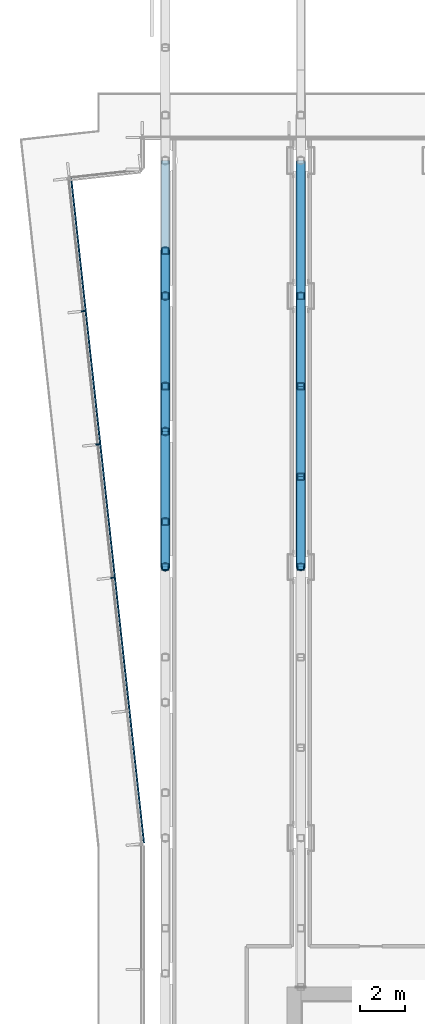
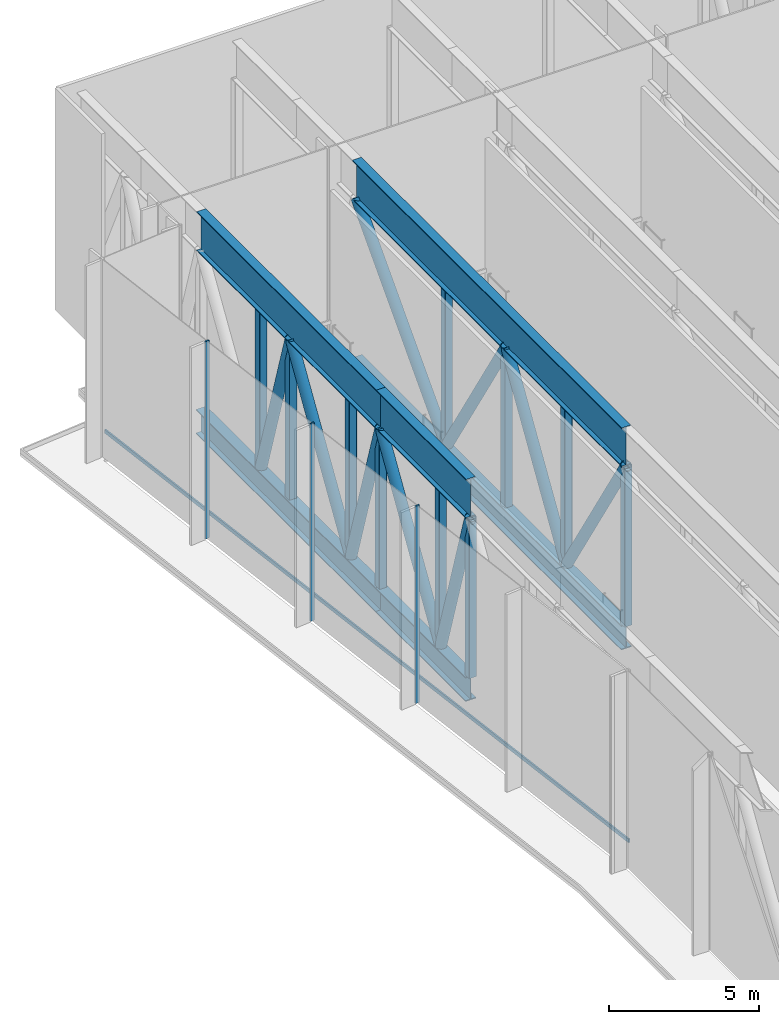
# One storey, part 6 of 22: 29 members, 1 element without a shape of its own.
"""IFC4 building model written with IfcOpenShell, lengths in metres."""

from ifc_helpers import new_model, si_unit, direction, frame, origin, origin_2d, place, context, subcontext, project, spatial, rectangle, hollow_rectangle, hollow_circle, i_section, extrude, material, layer, layer_set, material_profile, profile_set, type_object, element, aggregate, save


model = new_model("IFC4")

# Units and contexts
model_context = context("Model", 3, precision=1e-05, world=origin(), true_north=direction((0.0, 1.0)))
body_context = subcontext(model_context, "Body", "Model", "MODEL_VIEW")
ifc_project = project(units=[si_unit("LENGTHUNIT", "METRE"), si_unit("AREAUNIT", "SQUARE_METRE"), si_unit("VOLUMEUNIT", "CUBIC_METRE"), si_unit("PLANEANGLEUNIT", "RADIAN"), si_unit("MASSUNIT", "GRAM", prefix="KILO")], contexts=[model_context])

# Site, building, storey
site_placement = place(None, origin())
site = spatial("IfcSite", under=ifc_project, at=site_placement, CompositionType="ELEMENT")
building_placement = place(site_placement, origin())
building = spatial("IfcBuilding", under=site, at=building_placement, Name="Welwitschia Terrace Campus", CompositionType="ELEMENT")
storey_placement = place(building_placement, frame((0.0, 0.0, 197.0)))
storey = spatial("IfcBuildingStorey", under=building, at=storey_placement, Name="L44", CompositionType="ELEMENT", Elevation=197.0)

# Curtain wall, members
ifc_material_1 = material(Name="Bronze anodised aluminium", Category="aluminium")
ifc_layer = layer(ifc_material_1, 0.159912109375)
ifc_layer_set = layer_set([ifc_layer], Name="Bronze anodised aluminium")
curtain_wall_type = type_object("IfcCurtainWallType", Name="Curtain wall CW3 commons 6000", PredefinedType="NOTDEFINED", material=ifc_layer_set)
curtain_wall_placement = place(storey_placement, origin())
curtain_wall = element("IfcCurtainWall", 1, at=curtain_wall_placement, inside=storey, type_object=curtain_wall_type, Name="CW L44.8.0", PredefinedType="NOTDEFINED")
ifc_material_2 = material(Name="Bronze anodised aluminium", Category="aluminium")
ifc_material_profile_1 = material_profile(ifc_material_2, rectangle(XDim=0.159912109375, YDim=0.06005859375, at=origin_2d()))
ifc_profile_set_1 = profile_set([ifc_material_profile_1], Name="Bronze anodised aluminium")
member_type_1 = type_object("IfcMemberType", Name="Mullion 60x160", PredefinedType="MULLION", material=ifc_profile_set_1)
member_1_placement = place(storey_placement, frame((-3.63623046875, 55.3291015625, 0.0), z_axis=(0.0, 0.0, 1.0), x_axis=(0.994056338222, 0.108866874852, 0.0)))
member_1 = element("IfcMember", 2, at=member_1_placement, type_object=member_type_1, Name="Mullion L44.8.0.1", PredefinedType="MULLION", context=body_context, shape_type="SweptSolid", body=[
    extrude(rectangle(XDim=0.159912109375, YDim=0.06005859375, at=origin_2d()), origin(), (0.0, 0.0, 1.0), 8.050048828125),
])
member_2_placement = place(storey_placement, frame((-2.98974609375, 49.425537109375, 0.0), z_axis=(0.0, 0.0, 1.0), x_axis=(0.994056338222, 0.108866874852, 0.0)))
member_2 = element("IfcMember", 3, at=member_2_placement, type_object=member_type_1, Name="Mullion L44.8.0.2", PredefinedType="MULLION", context=body_context, shape_type="SweptSolid", body=[
    extrude(rectangle(XDim=0.159912109375, YDim=0.06005859375, at=origin_2d()), origin(), (0.0, 0.0, 1.0), 8.050048828125),
])
member_3_placement = place(storey_placement, frame((-2.343017578125, 43.521728515625, 0.0), z_axis=(0.0, 0.0, 1.0), x_axis=(0.994056338222, 0.108866874852, 0.0)))
member_3 = element("IfcMember", 4, at=member_3_placement, type_object=member_type_1, Name="Mullion L44.8.0.3", PredefinedType="MULLION", context=body_context, shape_type="SweptSolid", body=[
    extrude(rectangle(XDim=0.159912109375, YDim=0.06005859375, at=origin_2d()), origin(), (0.0, 0.0, 1.0), 8.050048828125),
])

# Members
ifc_material_3 = material(Name="Steel S355", Category="steel")
ifc_material_profile_2 = material_profile(ifc_material_3, i_section(OverallWidth=0.39990234375, OverallDepth=1.0, WebThickness=0.02490234375, FlangeThickness=0.0400390625, at=origin_2d()))
ifc_profile_set_2 = profile_set([ifc_material_profile_2], Name="Steel S355")
member_type_2 = type_object("IfcMemberType", Name="Transfer truss C3 bottom chord WI 1000x400x25x40", PredefinedType="CHORD", material=ifc_profile_set_2)
member_4_placement = place(storey_placement, frame((0.0, 44.0, -0.5), z_axis=(0.0, 1.0, 0.0), x_axis=(-1.0, 0.0, 0.0)))
element("IfcMember", 5, at=member_4_placement, inside=storey, type_object=member_type_2, Name="Truss bottom chord", PredefinedType="CHORD", context=body_context, shape_type="SweptSolid", body=[
    extrude(i_section(OverallWidth=0.39990234375, OverallDepth=1.0, WebThickness=0.02490234375, FlangeThickness=0.0400390625, at=origin_2d()), origin(), (0.0, 0.0, 1.0), 6.0),
])
member_5_placement = place(storey_placement, frame((0.0, 50.0, -0.5), z_axis=(0.0, 1.0, 0.0), x_axis=(-1.0, 0.0, 0.0)))
element("IfcMember", 6, at=member_5_placement, inside=storey, type_object=member_type_2, Name="Truss bottom chord", PredefinedType="CHORD", context=body_context, shape_type="SweptSolid", body=[
    extrude(i_section(OverallWidth=0.39990234375, OverallDepth=1.0, WebThickness=0.02490234375, FlangeThickness=0.0400390625, at=origin_2d()), origin(), (0.0, 0.0, 1.0), 12.0),
])
member_6_placement = place(storey_placement, frame((6.0, 44.0, -0.5), z_axis=(0.0, 1.0, 0.0), x_axis=(-1.0, 0.0, 0.0)))
element("IfcMember", 7, at=member_6_placement, inside=storey, type_object=member_type_2, Name="Truss bottom chord", PredefinedType="CHORD", context=body_context, shape_type="SweptSolid", body=[
    extrude(i_section(OverallWidth=0.39990234375, OverallDepth=1.0, WebThickness=0.02490234375, FlangeThickness=0.0400390625, at=origin_2d()), origin(), (0.0, 0.0, 1.0), 18.0),
])
ifc_material_4 = material(Name="Steel S355", Category="steel")
ifc_material_profile_3 = material_profile(ifc_material_4, hollow_circle(Radius=0.203125, WallThickness=0.01611328125, at=origin_2d()))
ifc_profile_set_3 = profile_set([ifc_material_profile_3], Name="Steel S355")
member_type_3 = type_object("IfcMemberType", Name="Transfer truss C3 diagonal CHS 406.4x16", PredefinedType="BRACE", material=ifc_profile_set_3)
member_7_placement = place(storey_placement, frame((0.0, 46.0, 0.0), z_axis=(0.0, -0.296168365803, 0.955135749042), x_axis=(1.0, 0.0, 0.0)))
element("IfcMember", 8, at=member_7_placement, inside=storey, type_object=member_type_3, Name="Truss diagonal", PredefinedType="BRACE", context=body_context, shape_type="SweptSolid", body=[
    extrude(hollow_circle(Radius=0.203125, WallThickness=0.01611328125, at=origin_2d()), origin(), (0.0, 0.0, 1.0), 6.7529296875),
])
member_8_placement = place(storey_placement, frame((0.0, 46.0, 0.0), z_axis=(0.0, 0.527037721004, 0.849841891553), x_axis=(-1.0, 0.0, 0.0)))
element("IfcMember", 9, at=member_8_placement, inside=storey, type_object=member_type_3, Name="Truss diagonal", PredefinedType="BRACE", context=body_context, shape_type="SweptSolid", body=[
    extrude(hollow_circle(Radius=0.203125, WallThickness=0.01611328125, at=origin_2d()), origin(), (0.0, 0.0, 1.0), 7.589599609375),
])
member_9_placement = place(storey_placement, frame((0.0, 52.0, 0.0), z_axis=(0.0, -0.296168365803, 0.955135749042), x_axis=(1.0, 0.0, 0.0)))
element("IfcMember", 10, at=member_9_placement, inside=storey, type_object=member_type_3, Name="Truss diagonal", PredefinedType="BRACE", context=body_context, shape_type="SweptSolid", body=[
    extrude(hollow_circle(Radius=0.203125, WallThickness=0.01611328125, at=origin_2d()), origin(), (0.0, 0.0, 1.0), 6.7529296875),
])
member_10_placement = place(storey_placement, frame((0.0, 52.0, 0.0), z_axis=(0.0, 0.527037721004, 0.849841891553), x_axis=(-1.0, 0.0, 0.0)))
element("IfcMember", 11, at=member_10_placement, inside=storey, type_object=member_type_3, Name="Truss diagonal", PredefinedType="BRACE", context=body_context, shape_type="SweptSolid", body=[
    extrude(hollow_circle(Radius=0.203125, WallThickness=0.01611328125, at=origin_2d()), origin(), (0.0, 0.0, 1.0), 7.589599609375),
])
member_11_placement = place(storey_placement, frame((0.0, 58.0, 0.0), z_axis=(0.0, -0.296168365803, 0.955135749042), x_axis=(1.0, 0.0, 0.0)))
element("IfcMember", 12, at=member_11_placement, inside=storey, type_object=member_type_3, Name="Truss diagonal", PredefinedType="BRACE", context=body_context, shape_type="SweptSolid", body=[
    extrude(hollow_circle(Radius=0.203125, WallThickness=0.01611328125, at=origin_2d()), origin(), (0.0, 0.0, 1.0), 6.7529296875),
])
for number, where, z_axis, x_axis, name in (
    (13, (6.0, 48.0, 0.0), (0.0, -0.527037721004, 0.849841891553), (1.0, 0.0, 0.0), "Truss diagonal"),
    (14, (6.0, 48.0, 0.0), (0.0, 0.527037721004, 0.849841891553), (-1.0, 0.0, 0.0), "Truss diagonal"),
    (15, (6.0, 56.0, 0.0), (0.0, -0.527037721004, 0.849841891553), (1.0, 0.0, 0.0), "Truss diagonal"),
):
    element("IfcMember", number, at=place(storey_placement, frame(where, z_axis=z_axis, x_axis=x_axis)), inside=storey, type_object=member_type_3, Name=name, PredefinedType="BRACE", context=body_context, shape_type="SweptSolid", body=[
        extrude(hollow_circle(Radius=0.203125, WallThickness=0.01611328125, at=origin_2d()), origin(), (0.0, 0.0, 1.0), 7.589599609375),
    ])
member_12_placement = place(storey_placement, frame((6.0, 56.0, 0.0), z_axis=(0.0, 0.681106706671, 0.732184166811), x_axis=(-1.0, 0.0, 0.0)))
element("IfcMember", 16, at=member_12_placement, inside=storey, type_object=member_type_3, Name="Truss diagonal", PredefinedType="BRACE", context=body_context, shape_type="SweptSolid", body=[
    extrude(hollow_circle(Radius=0.203125, WallThickness=0.01611328125, at=origin_2d()), origin(), (0.0, 0.0, 1.0), 8.80908203125),
])
ifc_material_5 = material(Name="Steel S355", Category="steel")
ifc_material_profile_4 = material_profile(ifc_material_5, hollow_rectangle(XDim=0.300048828125, YDim=0.300048828125, WallThickness=0.01611328125, InnerFilletRadius=0.01611328125, OuterFilletRadius=0.02392578125, at=origin_2d()))
ifc_profile_set_4 = profile_set([ifc_material_profile_4], Name="Steel S355")
member_type_4 = type_object("IfcMemberType", Name="Transfer truss C3 post SHS 300x300x16", PredefinedType="POST", material=ifc_profile_set_4)
for number, where, z_axis, x_axis, name in (
    (17, (0.0, 44.0, 0.0), (0.0, 0.0, 1.0), (1.0, 0.0, 0.0), "Truss post"),
    (18, (0.0, 46.0, 0.0), (0.0, 0.0, 1.0), (1.0, 0.0, 0.0), "Truss post"),
    (19, (0.0, 50.0, 0.0), (0.0, 0.0, 1.0), (1.0, 0.0, 0.0), "Truss post"),
    (20, (0.0, 52.0, 0.0), (0.0, 0.0, 1.0), (1.0, 0.0, 0.0), "Truss post"),
    (21, (0.0, 56.0, 0.0), (0.0, 0.0, 1.0), (1.0, 0.0, 0.0), "Truss post"),
    (22, (0.0, 58.0, 0.0), (0.0, 0.0, 1.0), (1.0, 0.0, 0.0), "Truss post"),
    (23, (6.0, 44.0, 0.0), (0.0, 0.0, 1.0), (1.0, 0.0, 0.0), "Truss post"),
    (24, (6.0, 48.0, 0.0), (0.0, 0.0, 1.0), (1.0, 0.0, 0.0), "Truss post"),
    (25, (6.0, 52.0, 0.0), (0.0, 0.0, 1.0), (1.0, 0.0, 0.0), "Truss post"),
    (26, (6.0, 56.0, 0.0), (0.0, 0.0, 1.0), (1.0, 0.0, 0.0), "Truss post"),
):
    element("IfcMember", number, at=place(storey_placement, frame(where, z_axis=z_axis, x_axis=x_axis)), inside=storey, type_object=member_type_4, Name=name, PredefinedType="POST", context=body_context, shape_type="SweptSolid", body=[
        extrude(hollow_rectangle(XDim=0.300048828125, YDim=0.300048828125, WallThickness=0.01611328125, InnerFilletRadius=0.01611328125, OuterFilletRadius=0.02392578125, at=origin_2d()), origin(), (0.0, 0.0, 1.0), 6.449951171875),
    ])
ifc_material_6 = material(Name="Steel S355", Category="steel")
ifc_material_profile_5 = material_profile(ifc_material_6, i_section(OverallWidth=0.35009765625, OverallDepth=1.60009765625, WebThickness=0.02490234375, FlangeThickness=0.0400390625, at=origin_2d()))
ifc_profile_set_5 = profile_set([ifc_material_profile_5], Name="Steel S355")
member_type_5 = type_object("IfcMemberType", Name="Transfer truss C3 top chord WI 1600x350x25x40", PredefinedType="CHORD", material=ifc_profile_set_5)
member_13_placement = place(storey_placement, frame((0.0, 44.0, 7.25), z_axis=(0.0, 1.0, 0.0), x_axis=(-1.0, 0.0, 0.0)))
element("IfcMember", 27, at=member_13_placement, inside=storey, type_object=member_type_5, Name="Truss top chord", PredefinedType="CHORD", context=body_context, shape_type="SweptSolid", body=[
    extrude(i_section(OverallWidth=0.35009765625, OverallDepth=1.60009765625, WebThickness=0.02490234375, FlangeThickness=0.0400390625, at=origin_2d()), origin(), (0.0, 0.0, 1.0), 6.0),
])
member_14_placement = place(storey_placement, frame((0.0, 50.0, 7.25), z_axis=(0.0, 1.0, 0.0), x_axis=(-1.0, 0.0, 0.0)))
element("IfcMember", 28, at=member_14_placement, inside=storey, type_object=member_type_5, Name="Truss top chord", PredefinedType="CHORD", context=body_context, shape_type="SweptSolid", body=[
    extrude(i_section(OverallWidth=0.35009765625, OverallDepth=1.60009765625, WebThickness=0.02490234375, FlangeThickness=0.0400390625, at=origin_2d()), origin(), (0.0, 0.0, 1.0), 12.0),
])
member_15_placement = place(storey_placement, frame((6.0, 44.0, 7.25), z_axis=(0.0, 1.0, 0.0), x_axis=(-1.0, 0.0, 0.0)))
element("IfcMember", 29, at=member_15_placement, inside=storey, type_object=member_type_5, Name="Truss top chord", PredefinedType="CHORD", context=body_context, shape_type="SweptSolid", body=[
    extrude(i_section(OverallWidth=0.35009765625, OverallDepth=1.60009765625, WebThickness=0.02490234375, FlangeThickness=0.0400390625, at=origin_2d()), origin(), (0.0, 0.0, 1.0), 18.0),
])

# Member
ifc_material_7 = material(Name="Bronze anodised aluminium", Category="aluminium")
ifc_material_profile_6 = material_profile(ifc_material_7, rectangle(XDim=0.06005859375, YDim=0.14990234375, at=origin_2d()))
ifc_profile_set_6 = profile_set([ifc_material_profile_6], Name="Bronze anodised aluminium")
member_type_6 = type_object("IfcMemberType", Name="Transom 60x150", PredefinedType="USERDEFINED", material=ifc_profile_set_6)
member_16_placement = place(storey_placement, frame((-4.1669921875, 61.18505859375, 1.0), z_axis=(0.108867561303, -0.994056263043, 0.0), x_axis=(0.994056263043, 0.108867561303, 0.0)))
member_16 = element("IfcMember", 30, at=member_16_placement, type_object=member_type_6, Name="Transom L44.8.0", ObjectType="TRANSOM", PredefinedType="USERDEFINED", context=body_context, shape_type="SweptSolid", body=[
    extrude(rectangle(XDim=0.06005859375, YDim=0.14990234375, at=origin_2d()), origin(), (0.0, 0.0, 1.0), 29.57470703125),
])

aggregate(curtain_wall, [member_1, member_2, member_3, member_16])

save(model, "model.ifc")
